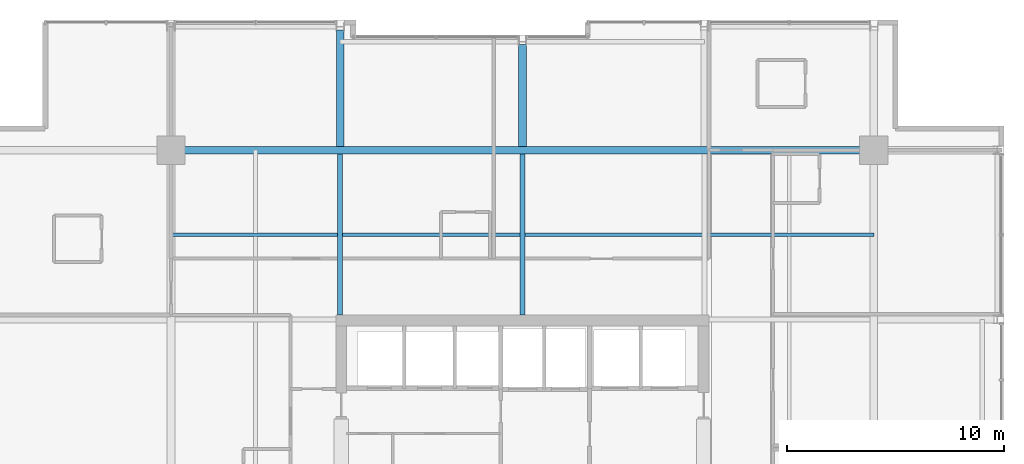
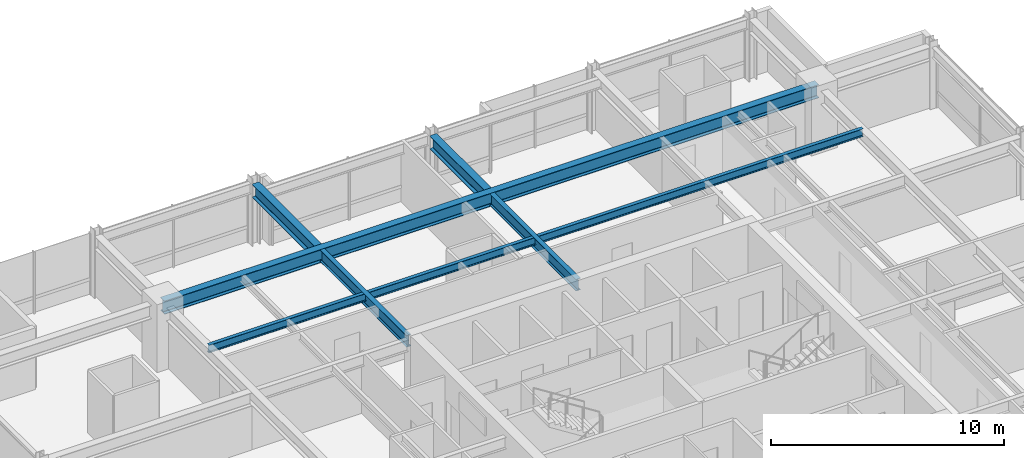
# One storey, part 19 of 33: 6 beams.
"""IFC4 building model written with IfcOpenShell, lengths in metres."""

import ifcopenshell
import ifcopenshell.guid

model = None  # the IFC model being written
_history = None  # IfcOwnerHistory: only IFC2X3 demands one
_inside = {}  # id of a spatial element -> (the spatial element, [elements in it])
_under = {}  # id of a project, library or spatial element -> (it, [spatial elements below it])
_declared = {}  # id of a project -> (the project, [libraries it declares])
_typed = {}  # id of a type object -> (the type object, [elements of that type])
_made_of = {}  # id of a material, layer set ... -> (it, [elements and type objects made of it])


def new_model(schema):
    """Start an empty IFC model of exactly this schema.

    Asked for "IFC4X3", IfcOpenShell would pick the latest addendum, in which some entities
    have other attributes; the version numbers below select the first issue.
    IFC2X3 requires an IfcOwnerHistory on every rooted entity: one is made here for all.
    """
    global model, _history
    if schema == "IFC4X3":
        model = ifcopenshell.file(schema_version=(4, 3, 0, 0))
    else:
        model = ifcopenshell.file(schema=schema)
    _inside.clear()
    _under.clear()
    _declared.clear()
    _typed.clear()
    _made_of.clear()
    _history = None
    if model.schema == "IFC2X3":
        org = make("IfcOrganization", Name="unknown")
        user = make(
            "IfcPersonAndOrganization",
            ThePerson=make("IfcPerson", FamilyName="unknown"),
            TheOrganization=org,
        )
        app = make(
            "IfcApplication",
            ApplicationDeveloper=org,
            Version="unknown",
            ApplicationFullName="unknown",
            ApplicationIdentifier="unknown",
        )
        _history = make(
            "IfcOwnerHistory",
            OwningUser=user,
            OwningApplication=app,
            ChangeAction="ADDED",
            CreationDate=0,
        )
    return model


def make(cls, **values):
    """One entity of the class cls with the attributes given. An attribute that is None is left unset."""
    return model.create_entity(
        cls, **{name: value for name, value in values.items() if value is not None}
    )


def rooted(cls, **values):
    """An entity with a GlobalId (a new one), such as an element, a storey or a relation."""
    return make(cls, GlobalId=ifcopenshell.guid.new(), OwnerHistory=_history, **values)


def si_unit(unit_type, name, prefix=None):
    """IfcSIUnit, for example si_unit("LENGTHUNIT", "METRE", prefix="MILLI")."""
    return make("IfcSIUnit", UnitType=unit_type, Prefix=prefix, Name=name)


def assignment(units):
    """IfcUnitAssignment: the units of a project."""
    return None if units is None else make("IfcUnitAssignment", Units=units)


def point(xyz):
    """IfcCartesianPoint."""
    return None if xyz is None else make("IfcCartesianPoint", Coordinates=xyz)


def direction(xyz):
    """IfcDirection."""
    return None if xyz is None else make("IfcDirection", DirectionRatios=xyz)


def frame(location, z_axis=None, x_axis=None):
    """IfcAxis2Placement3D, a coordinate frame: its origin and axes. An axis left out is left unset."""
    return make(
        "IfcAxis2Placement3D",
        Location=point(location),
        Axis=direction(z_axis),
        RefDirection=direction(x_axis),
    )


def frame_2d(location, x_axis=None):
    """IfcAxis2Placement2D, a coordinate frame in the plane: its origin and x axis."""
    return make(
        "IfcAxis2Placement2D", Location=point(location), RefDirection=direction(x_axis)
    )


def origin():
    """The frame at (0, 0, 0) with its axes left unset."""
    return frame((0.0, 0.0, 0.0))


def origin_2d():
    """The frame at (0, 0) in the plane with its x axis left unset."""
    return frame_2d((0.0, 0.0))


def place(relative_to, where):
    """IfcLocalPlacement: puts the frame where relative to a parent placement (None: the world)."""
    return make(
        "IfcLocalPlacement", PlacementRelTo=relative_to, RelativePlacement=where
    )


def context(
    kind, dimensions, precision=None, world=None, true_north=None, identifier=None
):
    """IfcGeometricRepresentationContext, for example the 3D "Model" context."""
    return make(
        "IfcGeometricRepresentationContext",
        ContextIdentifier=identifier,
        ContextType=kind,
        CoordinateSpaceDimension=dimensions,
        Precision=precision,
        WorldCoordinateSystem=world,
        TrueNorth=true_north,
    )


def subcontext(parent, identifier, kind, view, scale=None):
    """IfcGeometricRepresentationSubContext, for example "Body" below "Model"."""
    return make(
        "IfcGeometricRepresentationSubContext",
        ContextIdentifier=identifier,
        ContextType=kind,
        ParentContext=parent,
        TargetScale=scale,
        TargetView=view,
    )


def project(units=None, contexts=None):
    """IfcProject with its units and contexts."""
    return rooted(
        "IfcProject",
        Name="project",
        RepresentationContexts=contexts,
        UnitsInContext=assignment(units),
    )


def spatial(cls, under=None, at=None, **own):
    """A site, building, storey or space (cls), placed at a placement, below another one or the project."""
    s = rooted(cls, ObjectPlacement=at, **own)
    if under is not None:
        _under.setdefault(under.id(), (under, []))[1].append(s)
    return s


def profile(cls, at=None, kind="AREA", **sizes):
    """A parametric profile (cls). Its sizes go by their IFC names, for example OverallWidth=200.0."""
    return make(cls, ProfileType=kind, Position=at, **sizes)


def i_section(**sizes):
    """IfcIShapeProfileDef."""
    return profile("IfcIShapeProfileDef", **sizes)


def extrude(swept, where, along, depth):
    """IfcExtrudedAreaSolid: the profile swept, set in the frame where, extruded along a direction by depth."""
    return make(
        "IfcExtrudedAreaSolid",
        SweptArea=swept,
        Position=where,
        ExtrudedDirection=direction(along),
        Depth=depth,
    )


def shape(context_of_items, identifier, shape_type, items):
    """IfcShapeRepresentation: the items that make up one representation, for example the "Body"."""
    return make(
        "IfcShapeRepresentation",
        ContextOfItems=context_of_items,
        RepresentationIdentifier=identifier,
        RepresentationType=shape_type,
        Items=items,
    )


def material(Name=None, Category=None):
    """IfcMaterial."""
    return make("IfcMaterial", Name=Name, Category=Category)


def material_profile(
    of_material, cross_section, Name=None, Category=None, Priority=None
):
    """IfcMaterialProfile: a cross section and its material."""
    return make(
        "IfcMaterialProfile",
        Name=Name,
        Material=of_material,
        Profile=cross_section,
        Priority=Priority,
        Category=Category,
    )


def profile_set(profiles, Name=None, composite=None):
    """IfcMaterialProfileSet."""
    return make(
        "IfcMaterialProfileSet",
        Name=Name,
        MaterialProfiles=profiles,
        CompositeProfile=composite,
    )


def made_of(thing, what):
    """Note that an element or type object is made of a material, layer set ...; save() writes the relation."""
    if what is not None:
        _made_of.setdefault(what.id(), (what, []))[1].append(thing)
    return thing


def type_object(cls, material=None, **own):
    """A type object (cls), such as IfcWallType, which elements share."""
    return made_of(rooted(cls, **own), material)


def element(
    cls,
    number,
    at=None,
    inside=None,
    cuts=None,
    type_object=None,
    material=None,
    context=None,
    identifier="Body",
    shape_type=None,
    held_by="IfcProductDefinitionShape",
    body=None,
    shapes=None,
    **own,
):
    """One element of the class cls, such as IfcWall. Its Tag is "e" and its number.

    at: its placement. inside: the storey or other place that contains it. cuts: it is an
    opening in that element (IfcRelVoidsElement). A single representation is given by context,
    identifier, shape_type and body (its items); several are given by shapes. held_by: the class
    of the entity that holds the representations. save() writes the other relations.
    """
    e = rooted(cls, Tag="e%d" % number, ObjectPlacement=at, **own)
    if body is not None:
        shapes = [shape(context, identifier, shape_type, body)]
    if shapes is not None:
        e.Representation = make(held_by, Representations=shapes)
    if inside is not None:
        _inside.setdefault(inside.id(), (inside, []))[1].append(e)
    if cuts is not None:
        rooted(
            "IfcRelVoidsElement", RelatingBuildingElement=cuts, RelatedOpeningElement=e
        )
    if type_object is not None:
        _typed.setdefault(type_object.id(), (type_object, []))[1].append(e)
    return made_of(e, material)


def aggregate(whole, parts):
    """IfcRelAggregates: a whole, such as a stair, and the parts it consists of."""
    return rooted("IfcRelAggregates", RelatingObject=whole, RelatedObjects=parts)


def save(model, path):
    """Write the relations noted so far, then the file.

    IfcRelAggregates (storeys below a building ...), IfcRelContainedInSpatialStructure (elements
    in a storey), IfcRelDefinesByType, IfcRelAssociatesMaterial and IfcRelDeclares: one each for
    every whole, place, type object, material and project.
    """
    for whole, parts in _under.values():
        aggregate(whole, parts)
    for where, things in _inside.values():
        rooted(
            "IfcRelContainedInSpatialStructure",
            RelatedElements=things,
            RelatingStructure=where,
        )
    for kind, things in _typed.values():
        rooted("IfcRelDefinesByType", RelatedObjects=things, RelatingType=kind)
    for what, things in _made_of.values():
        rooted("IfcRelAssociatesMaterial", RelatedObjects=things, RelatingMaterial=what)
    for by, libraries in _declared.values():
        rooted("IfcRelDeclares", RelatingContext=by, RelatedDefinitions=libraries)
    model.write(path)


model = new_model("IFC4")

# Units and contexts
model_context = context("Model", 3, precision=1e-05, world=origin(), true_north=direction((0.0, 1.0)))
body_context = subcontext(model_context, "Body", "Model", "MODEL_VIEW")
ifc_project = project(units=[si_unit("LENGTHUNIT", "METRE"), si_unit("AREAUNIT", "SQUARE_METRE"), si_unit("VOLUMEUNIT", "CUBIC_METRE"), si_unit("PLANEANGLEUNIT", "RADIAN"), si_unit("MASSUNIT", "GRAM", prefix="KILO")], contexts=[model_context])

# Site, building, storey
site_placement = place(None, origin())
site = spatial("IfcSite", under=ifc_project, at=site_placement, CompositionType="ELEMENT")
building_placement = place(site_placement, origin())
building = spatial("IfcBuilding", under=site, at=building_placement, Name="Drelvath Grand Hotel", CompositionType="ELEMENT")
storey_placement = place(building_placement, frame((0.0, 0.0, 196.550048828125)))
storey = spatial("IfcBuildingStorey", under=building, at=storey_placement, Name="L51", CompositionType="ELEMENT", Elevation=196.550048828125)

# Beams
ifc_material = material(Name="Steel ASTM A992 Gr 50", Category="steel")
ifc_material_profile_1 = material_profile(ifc_material, i_section(OverallWidth=0.177734375, OverallDepth=0.40673828125, WebThickness=0.0078125, FlangeThickness=0.0126953125, FilletRadius=0.014892578125, at=origin_2d()), Name="W16X40")
ifc_profile_set_1 = profile_set([ifc_material_profile_1], Name="Steel ASTM A992 Gr 50")
beam_type_1 = type_object("IfcBeamType", Name="Composite Floor Joist W16X40", PredefinedType="JOIST", material=ifc_profile_set_1)
beam_1_placement = place(storey_placement, frame((-16.199951171875, 39.300048828125, 3.026611328125), z_axis=(1.0, 0.0, 0.0), x_axis=(0.0, 1.0, 0.0)))
element("IfcBeam", 1, at=beam_1_placement, inside=storey, type_object=beam_type_1, Name="L51 Floor Joist J2", PredefinedType="JOIST", context=body_context, shape_type="SweptSolid", body=[
    extrude(i_section(OverallWidth=0.177734375, OverallDepth=0.40673828125, WebThickness=0.0078125, FlangeThickness=0.0126953125, FilletRadius=0.014892578125, at=origin_2d()), origin(), (0.0, 0.0, 1.0), 32.39990234375),
])
ifc_material_profile_2 = material_profile(ifc_material, i_section(OverallWidth=0.228271484375, OverallDepth=0.607666015625, WebThickness=0.01123046875, FlangeThickness=0.017333984375, FilletRadius=0.02001953125, at=origin_2d()), Name="W24X76")
ifc_profile_set_2 = profile_set([ifc_material_profile_2], Name="Steel ASTM A992 Gr 50")
beam_type_2 = type_object("IfcBeamType", Name="Primary Floor Girder W24X76", PredefinedType="BEAM", material=ifc_profile_set_2)
for number, where, z_axis, x_axis, name in (
    (2, (-8.39990234375, 35.60009765625, 2.92626953125), (0.0, 1.0, 0.0), (-1.0, 0.0, 0.0), "L51 North Core Tie 4"),
    (3, (0.0, 35.60009765625, 2.92626953125), (0.0, 1.0, 0.0), (-1.0, 0.0, 0.0), "L51 North Core Tie 5"),
):
    element("IfcBeam", number, at=place(storey_placement, frame(where, z_axis=z_axis, x_axis=x_axis)), inside=storey, type_object=beam_type_2, Name=name, PredefinedType="BEAM", context=body_context, shape_type="SweptSolid", body=[
        extrude(i_section(OverallWidth=0.228271484375, OverallDepth=0.607666015625, WebThickness=0.01123046875, FlangeThickness=0.017333984375, FilletRadius=0.02001953125, at=origin_2d()), origin(), (0.0, 0.0, 1.0), 7.422607421875),
    ])
ifc_material_profile_3 = material_profile(ifc_material, i_section(OverallWidth=0.354736328125, OverallDepth=0.695556640625, WebThickness=0.015380859375, FlangeThickness=0.025146484375, FilletRadius=0.02392578125, at=origin_2d()), Name="W27X146")
ifc_profile_set_3 = profile_set([ifc_material_profile_3], Name="Steel ASTM A992 Gr 50")
beam_type_3 = type_object("IfcBeamType", Name="Primary Floor Girder W27X146", PredefinedType="BEAM", material=ifc_profile_set_3)
beam_2_placement = place(storey_placement, frame((-16.199951171875, 43.199951171875, 2.88232421875), z_axis=(1.0, 0.0, 0.0), x_axis=(0.0, 1.0, 0.0)))
element("IfcBeam", 4, at=beam_2_placement, inside=storey, type_object=beam_type_3, Name="L51 Mega Ring Girder North", PredefinedType="BEAM", context=body_context, shape_type="SweptSolid", body=[
    extrude(i_section(OverallWidth=0.354736328125, OverallDepth=0.695556640625, WebThickness=0.015380859375, FlangeThickness=0.025146484375, FilletRadius=0.02392578125, at=origin_2d()), origin(), (0.0, 0.0, 1.0), 32.39990234375),
])
beam_3_placement = place(storey_placement, frame((-8.39990234375, 43.37744140625, 2.88232421875), z_axis=(0.0, 1.0, 0.0), x_axis=(-1.0, 0.0, 0.0)))
element("IfcBeam", 5, at=beam_3_placement, inside=storey, type_object=beam_type_3, Name="L51 North Wing Girder 4", PredefinedType="BEAM", context=body_context, shape_type="SweptSolid", body=[
    extrude(i_section(OverallWidth=0.354736328125, OverallDepth=0.695556640625, WebThickness=0.015380859375, FlangeThickness=0.025146484375, FilletRadius=0.02392578125, at=origin_2d()), origin(), (0.0, 0.0, 1.0), 5.362548828125),
])
beam_4_placement = place(storey_placement, frame((0.0, 43.37744140625, 2.88232421875), z_axis=(0.0, 1.0, 0.0), x_axis=(-1.0, 0.0, 0.0)))
element("IfcBeam", 6, at=beam_4_placement, inside=storey, type_object=beam_type_3, Name="L51 North Wing Girder 5", PredefinedType="BEAM", context=body_context, shape_type="SweptSolid", body=[
    extrude(i_section(OverallWidth=0.354736328125, OverallDepth=0.695556640625, WebThickness=0.015380859375, FlangeThickness=0.025146484375, FilletRadius=0.02392578125, at=origin_2d()), origin(), (0.0, 0.0, 1.0), 4.6826171875),
])

save(model, "model.ifc")
